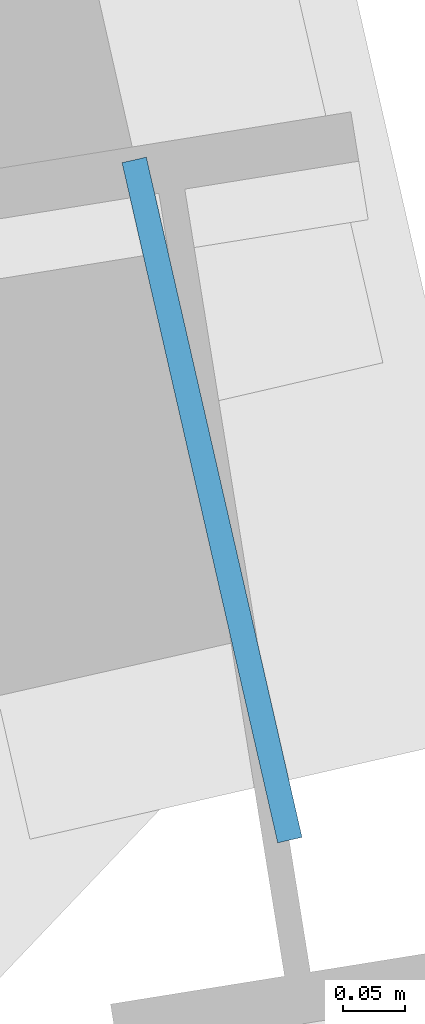
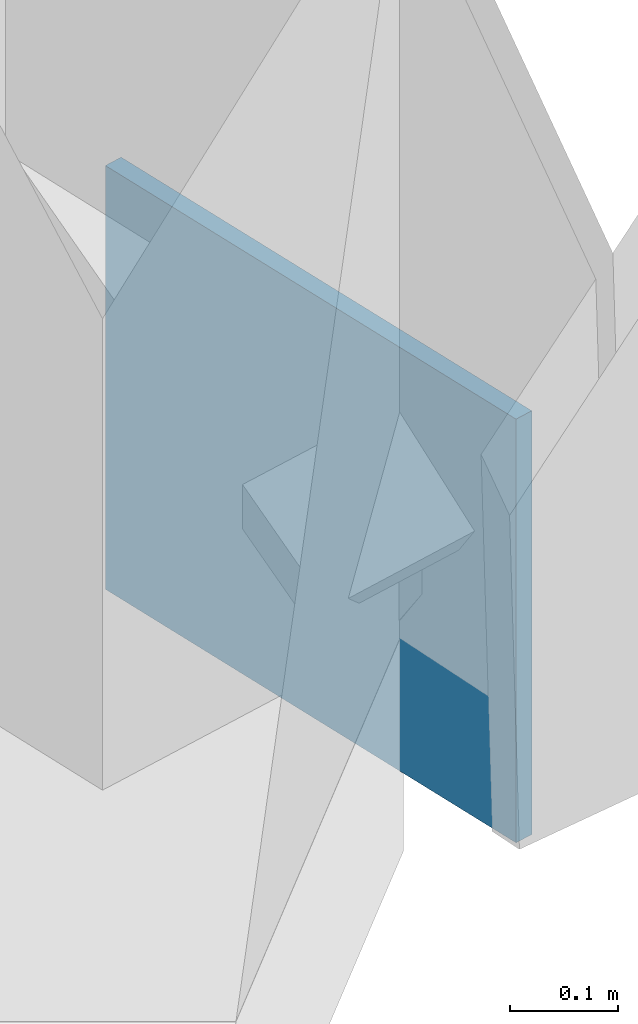
# One storey, part 11 of 22: 1 plate.
"""IFC4 building model written with IfcOpenShell, lengths in metres."""

from ifc_helpers import new_model, si_unit, direction, frame, origin, origin_2d, place, context, subcontext, project, spatial, rectangle, extrude, source, transform, mapped, material, type_object, element, save


model = new_model("IFC4")

# Units and contexts
model_context = context("Model", 3, precision=1e-05, world=origin(), true_north=direction((0.0, 1.0)))
body_context = subcontext(model_context, "Body", "Model", "MODEL_VIEW")
ifc_project = project(units=[si_unit("LENGTHUNIT", "METRE"), si_unit("AREAUNIT", "SQUARE_METRE"), si_unit("VOLUMEUNIT", "CUBIC_METRE"), si_unit("PLANEANGLEUNIT", "RADIAN"), si_unit("MASSUNIT", "GRAM", prefix="KILO")], contexts=[model_context])

# Site, building, storey
site_placement = place(None, origin())
site = spatial("IfcSite", under=ifc_project, at=site_placement, CompositionType="ELEMENT")
building_placement = place(site_placement, origin())
building = spatial("IfcBuilding", under=site, at=building_placement, Name="Olszyna Solenne Hotel", CompositionType="ELEMENT")
storey_placement = place(building_placement, frame((0.0, 0.0, 87.949951171875)))
storey = spatial("IfcBuildingStorey", under=building, at=storey_placement, Name="L22", CompositionType="ELEMENT", Elevation=87.949951171875)

# Plate
ifc_material = material(Name="Steel S355J2", Category="steel")
plate_type = type_object("IfcPlateType", Name="GP-ND2", PredefinedType="USERDEFINED", material=ifc_material)
shared_shape = source(origin(), body_context, "Body", "SweptSolid", [
    extrude(rectangle(XDim=0.56005859375, YDim=0.02001953125, at=origin_2d()), origin(), (0.0, 0.0, 1.0), 0.47998046875),
])
plate_placement = place(storey_placement, frame((67.936767578125, 31.50439453125, -0.151123046875), z_axis=(0.0, 0.0, 1.0), x_axis=(-0.223079984689, 0.97480014384, 0.0)))
element("IfcPlate", 1, at=plate_placement, inside=storey, type_object=plate_type, Name="Brace end connection gusset plate GP-ND2 EP-BR-L22-1-1", ObjectType="GUSSET_PLATE", PredefinedType="USERDEFINED", context=body_context, shape_type="MappedRepresentation", body=[
    mapped(shared_shape, transform((0.0, 0.0, 0.0), x_axis=(1.0, 0.0, 0.0), y_axis=(0.0, 1.0, 0.0), z_axis=(0.0, 0.0, 1.0), scale=1.0)),
])

save(model, "model.ifc")
